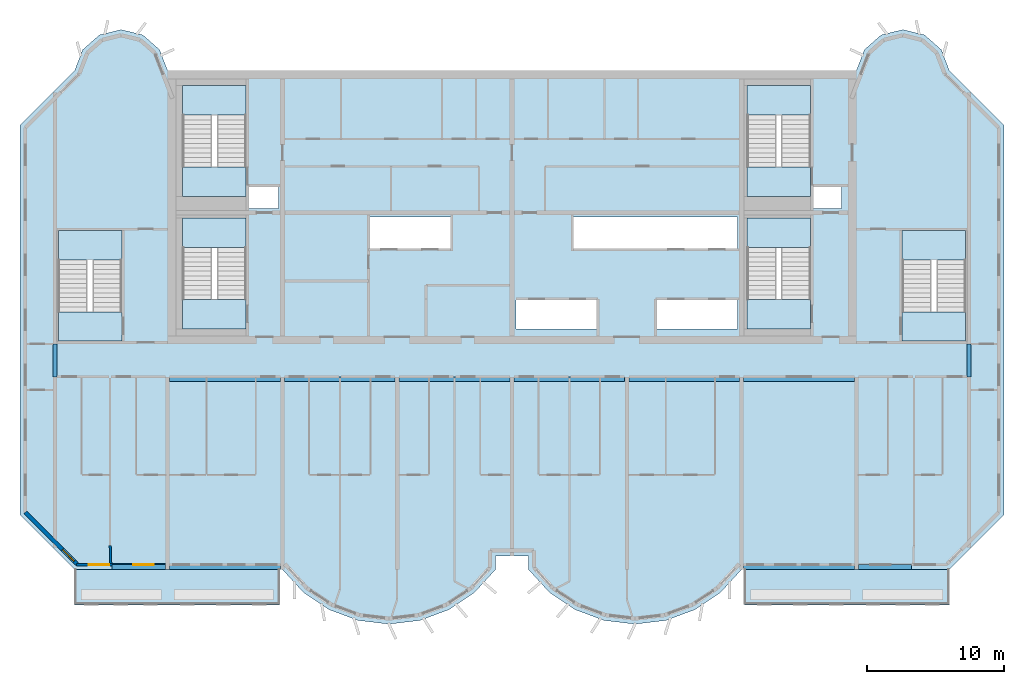
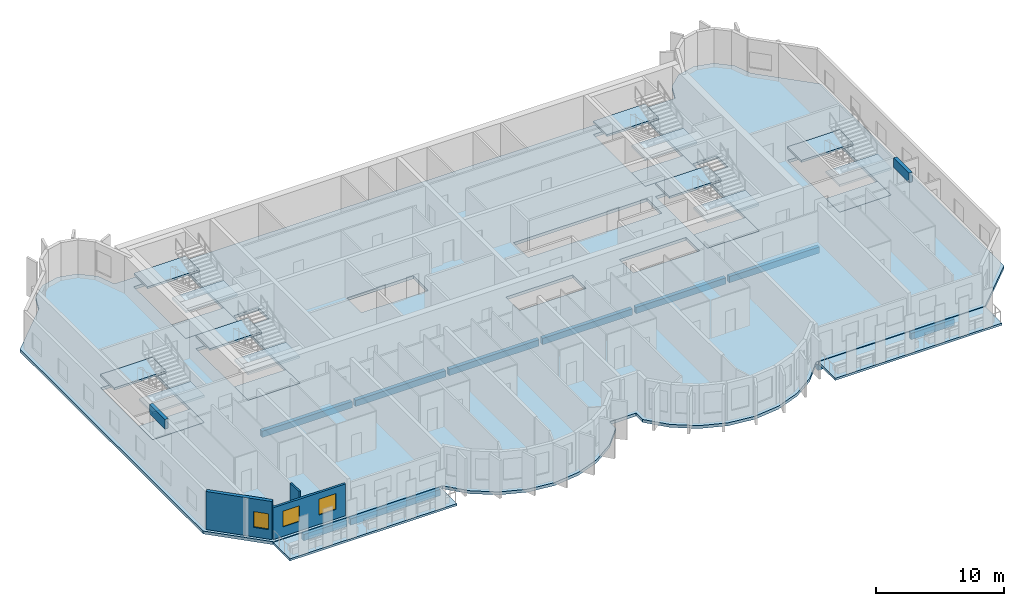
# One storey, part 1 of 11: 21 slabs, 12 beams, 3 walls, 3 windows, 3 openings, 6 elements without a shape of their own.
"""IFC4 building model written with IfcOpenShell, lengths in metres."""

from ifc_helpers import new_model, si_unit, direction, frame, frame_2d, origin, origin_2d, place, context, subcontext, project, spatial, polyline, rectangle, outline, extrude, source, transform, mapped, material, layer, layer_set, material_profile, profile_set, type_object, element, fill, aggregate, save


model = new_model("IFC4")

# Units and contexts
model_context = context("Model", 3, precision=1e-05, world=origin(), true_north=direction((0.0, 1.0)))
body_context = subcontext(model_context, "Body", "Model", "MODEL_VIEW")
ifc_project = project(units=[si_unit("LENGTHUNIT", "METRE"), si_unit("AREAUNIT", "SQUARE_METRE"), si_unit("VOLUMEUNIT", "CUBIC_METRE"), si_unit("PLANEANGLEUNIT", "RADIAN"), si_unit("MASSUNIT", "GRAM", prefix="KILO")], contexts=[model_context])

# Site, building, storey
site_placement = place(None, origin())
site = spatial("IfcSite", under=ifc_project, at=site_placement, CompositionType="ELEMENT")
building_placement = place(site_placement, origin())
building = spatial("IfcBuilding", under=site, at=building_placement, Name="Vanashikhar Sky Hotel", CompositionType="ELEMENT")
storey_placement = place(building_placement, frame((0.0, 0.0, 229.60009765625)))
storey = spatial("IfcBuildingStorey", under=building, at=storey_placement, Name="L55", CompositionType="ELEMENT", Elevation=229.60009765625)

# Beams
ifc_material_1 = material(Name="Concrete M50", Category="concrete")
ifc_material_profile_1 = material_profile(ifc_material_1, rectangle(XDim=0.300048828125, YDim=0.89990234375, at=origin_2d()))
ifc_profile_set_1 = profile_set([ifc_material_profile_1], Name="RC 300x900 beam Concrete M50")
beam_type_1 = type_object("IfcBeamType", Name="RC 300x900 beam Concrete M50", PredefinedType="LINTEL", material=ifc_profile_set_1)
shared_shape_1 = source(origin(), body_context, "Body", "SweptSolid", [
    extrude(rectangle(XDim=0.300048828125, YDim=0.89990234375, at=origin_2d()), origin(), (0.0, 0.0, 1.0), 2.39990234375),
])
for number, where, z_axis, x_axis, name in (
    (1, (16.949951171875, 19.60009765625, 3.169921875), (0.0, 1.0, 0.0), (-1.0, 0.0, 0.0), "LB-L55-XW03"),
    (2, (83.85009765625, 19.60009765625, 3.169921875), (0.0, 1.0, 0.0), (-1.0, 0.0, 0.0), "LB-L55-XW11"),
):
    element("IfcBeam", number, at=place(storey_placement, frame(where, z_axis=z_axis, x_axis=x_axis)), inside=storey, type_object=beam_type_1, Name=name, PredefinedType="LINTEL", context=body_context, shape_type="MappedRepresentation", body=[
        mapped(shared_shape_1, transform((0.0, 0.0, 0.0), scale=1.0)),
    ])
ifc_material_profile_2 = material_profile(ifc_material_1, rectangle(XDim=0.35009765625, YDim=0.60009765625, at=origin_2d()))
ifc_profile_set_2 = profile_set([ifc_material_profile_2], Name="RC 350x600 beam Concrete M50")
beam_type_2 = type_object("IfcBeamType", Name="RC 350x600 beam Concrete M50", PredefinedType="SPANDREL", material=ifc_profile_set_2)
shared_shape_2 = source(origin(), body_context, "Body", "SweptSolid", [
    extrude(rectangle(XDim=0.35009765625, YDim=0.60009765625, at=origin_2d()), origin(), (0.0, 0.0, 1.0), 8.099853515625),
])
for number, where, z_axis, x_axis, name in (
    (3, (25.35009765625, 5.675048828125, -0.580078125), (1.0, 0.0, 0.0), (0.0, 1.0, 0.0), "EB-L55-F01"),
    (4, (67.35009765625, 5.675048828125, -0.580078125), (1.0, 0.0, 0.0), (0.0, 1.0, 0.0), "EB-L55-F03"),
    (5, (25.35009765625, 19.425048828125, -0.580078125), (1.0, 0.0, 0.0), (0.0, 1.0, 0.0), "CB-L55-01"),
    (6, (50.550048828125, 19.425048828125, -0.580078125), (1.0, 0.0, 0.0), (0.0, 1.0, 0.0), "CB-L55-04"),
    (7, (67.35009765625, 19.425048828125, -0.580078125), (1.0, 0.0, 0.0), (0.0, 1.0, 0.0), "CB-L55-06"),
):
    element("IfcBeam", number, at=place(storey_placement, frame(where, z_axis=z_axis, x_axis=x_axis)), inside=storey, type_object=beam_type_2, Name=name, PredefinedType="SPANDREL", context=body_context, shape_type="MappedRepresentation", body=[
        mapped(shared_shape_2, transform((0.0, 0.0, 0.0), scale=1.0)),
    ])
ifc_material_profile_3 = material_profile(ifc_material_1, rectangle(XDim=0.35009765625, YDim=0.60009765625, at=origin_2d()))
ifc_profile_set_3 = profile_set([ifc_material_profile_3], Name="RC 350x600 cantilever beam Concrete M50")
beam_type_3 = type_object("IfcBeamType", Name="RC 350x600 cantilever beam Concrete M50", PredefinedType="SPANDREL", material=ifc_profile_set_3)
shared_shape_3 = source(origin(), body_context, "Body", "SweptSolid", [
    extrude(rectangle(XDim=0.35009765625, YDim=0.60009765625, at=origin_2d()), origin(), (0.0, 0.0, 1.0), 3.900146484375),
])
beam_1_placement = place(storey_placement, frame((21.14990234375, 5.675048828125, -0.580078125), z_axis=(1.0, 0.0, 0.0), x_axis=(0.0, 1.0, 0.0)))
element("IfcBeam", 8, at=beam_1_placement, inside=storey, type_object=beam_type_3, Name="EB-L55-F02", PredefinedType="SPANDREL", context=body_context, shape_type="MappedRepresentation", body=[
    mapped(shared_shape_3, transform((0.0, 0.0, 0.0), scale=1.0)),
])
shared_shape_4 = source(origin(), body_context, "Body", "SweptSolid", [
    extrude(rectangle(XDim=0.35009765625, YDim=0.60009765625, at=origin_2d()), origin(), (0.0, 0.0, 1.0), 3.89990234375),
])
beam_2_placement = place(storey_placement, frame((75.75, 5.675048828125, -0.580078125), z_axis=(1.0, 0.0, 0.0), x_axis=(0.0, 1.0, 0.0)))
element("IfcBeam", 9, at=beam_2_placement, inside=storey, type_object=beam_type_3, Name="EB-L55-F04", PredefinedType="SPANDREL", context=body_context, shape_type="MappedRepresentation", body=[
    mapped(shared_shape_4, transform((0.0, 0.0, 0.0), scale=1.0)),
])
shared_shape_5 = source(origin(), body_context, "Body", "SweptSolid", [
    extrude(rectangle(XDim=0.35009765625, YDim=0.60009765625, at=origin_2d()), origin(), (0.0, 0.0, 1.0), 8.10009765625),
])
for number, where, z_axis, x_axis, name in (
    (10, (33.75, 19.425048828125, -0.580078125), (1.0, 0.0, 0.0), (0.0, 1.0, 0.0), "CB-L55-02"),
    (11, (42.14990234375, 19.425048828125, -0.580078125), (1.0, 0.0, 0.0), (0.0, 1.0, 0.0), "CB-L55-03"),
    (12, (58.949951171875, 19.425048828125, -0.580078125), (1.0, 0.0, 0.0), (0.0, 1.0, 0.0), "CB-L55-05"),
):
    element("IfcBeam", number, at=place(storey_placement, frame(where, z_axis=z_axis, x_axis=x_axis)), inside=storey, type_object=beam_type_2, Name=name, PredefinedType="SPANDREL", context=body_context, shape_type="MappedRepresentation", body=[
        mapped(shared_shape_5, transform((0.0, 0.0, 0.0), scale=1.0)),
    ])

# Slabs
ifc_material_2 = material(Name="Concrete M40", Category="concrete")
ifc_layer_1 = layer(ifc_material_2, 0.280029296875)
ifc_layer_set_1 = layer_set([ifc_layer_1], Name="Floor slab 280 mm")
slab_type_1 = type_object("IfcSlabType", Name="Floor slab 280 mm", PredefinedType="FLOOR", material=ifc_layer_set_1)
shared_shape_6 = source(origin(), body_context, "Body", "SweptSolid", [
    extrude(outline(polyline([(49.199951171875, 5.5), (49.199951171875, 6.5), (51.60009765625, 6.5), (51.60009765625, 5.5), (53.133056640625, 3.825927734375), (55.01708984375, 2.55810546875), (57.14599609375, 1.76806640625), (59.39990234375, 1.5), (61.654052734375, 1.76806640625), (63.782958984375, 2.55810546875), (65.6669921875, 3.825927734375), (67.199951171875, 5.5), (82.39990234375, 5.5), (86.39990234375, 9.5), (86.39990234375, 38.0), (82.39990234375, 42.0), (81.81494140625, 43.527099609375), (80.587890625, 44.610107421875), (79.0, 45.0), (77.412109375, 44.610107421875), (76.18505859375, 43.527099609375), (75.60009765625, 42.0), (25.199951171875, 42.0), (24.614990234375, 43.527099609375), (23.387939453125, 44.610107421875), (21.800048828125, 45.0), (20.2119140625, 44.610107421875), (18.985107421875, 43.527099609375), (18.39990234375, 42.0), (14.39990234375, 38.0), (14.39990234375, 9.5), (18.39990234375, 5.5), (33.60009765625, 5.5), (35.133056640625, 3.825927734375), (37.01708984375, 2.55810546875), (39.14599609375, 1.76806640625), (41.39990234375, 1.5), (43.654052734375, 1.76806640625), (45.782958984375, 2.55810546875), (47.6669921875, 3.825927734375), (49.199951171875, 5.5)]), holes=[polyline([(33.300048828125, 33.60009765625), (31.050048828125, 33.60009765625), (31.050048828125, 31.89990234375), (33.300048828125, 31.89990234375), (33.300048828125, 33.60009765625)]), polyline([(39.89990234375, 31.300048828125), (39.89990234375, 29.0), (45.89990234375, 29.0), (45.89990234375, 31.300048828125), (39.89990234375, 31.300048828125)]), polyline([(50.699951171875, 25.199951171875), (50.699951171875, 23.10009765625), (56.699951171875, 23.10009765625), (56.699951171875, 25.199951171875), (50.699951171875, 25.199951171875)]), polyline([(66.89990234375, 29.0), (66.89990234375, 31.300048828125), (54.89990234375, 31.300048828125), (54.89990234375, 29.0), (66.89990234375, 29.0)]), polyline([(60.89990234375, 25.199951171875), (60.89990234375, 23.10009765625), (66.89990234375, 23.10009765625), (66.89990234375, 25.199951171875), (60.89990234375, 25.199951171875)]), polyline([(74.5, 33.60009765625), (72.35009765625, 33.60009765625), (72.35009765625, 31.89990234375), (74.5, 31.89990234375), (74.5, 33.60009765625)]), polyline([(30.949951171875, 23.10009765625), (30.949951171875, 31.199951171875), (26.300048828125, 31.199951171875), (26.300048828125, 23.10009765625), (30.949951171875, 23.10009765625)]), polyline([(72.25, 23.10009765625), (72.25, 31.199951171875), (67.60009765625, 31.199951171875), (67.60009765625, 23.10009765625), (72.25, 23.10009765625)]), polyline([(30.949951171875, 32.800048828125), (30.949951171875, 40.89990234375), (26.300048828125, 40.89990234375), (26.300048828125, 32.800048828125), (30.949951171875, 32.800048828125)]), polyline([(72.25, 32.800048828125), (72.25, 40.89990234375), (67.60009765625, 40.89990234375), (67.60009765625, 32.800048828125), (72.25, 32.800048828125)]), polyline([(83.60009765625, 22.199951171875), (83.60009765625, 30.300048828125), (78.949951171875, 30.300048828125), (78.949951171875, 22.199951171875), (83.60009765625, 22.199951171875)]), polyline([(21.85009765625, 22.199951171875), (21.85009765625, 30.300048828125), (17.199951171875, 30.300048828125), (17.199951171875, 22.199951171875), (21.85009765625, 22.199951171875)])]), origin(), (0.0, 0.0, 1.0), 0.280029296875),
])
slab_1_placement = place(storey_placement, frame((0.0, 0.0, -0.280029296875)))
element("IfcSlab", 13, at=slab_1_placement, inside=storey, type_object=slab_type_1, Name="Floor slab L55", PredefinedType="FLOOR", context=body_context, shape_type="MappedRepresentation", body=[
    mapped(shared_shape_6, transform((0.0, 0.0, 0.0), scale=1.0)),
])
ifc_layer_2 = layer(ifc_material_2, 0.199951171875)
ifc_layer_set_2 = layer_set([ifc_layer_2], Name="Balcony slab 200 mm")
slab_type_2 = type_object("IfcSlabType", Name="Balcony slab 200 mm", PredefinedType="USERDEFINED", material=ifc_layer_set_2)
shared_shape_7 = source(origin(), body_context, "Body", "SweptSolid", [
    extrude(outline(polyline([(18.39990234375, 2.89990234375), (33.39990234375, 2.89990234375), (33.39990234375, 5.5), (18.39990234375, 5.5), (18.39990234375, 2.89990234375)])), origin(), (0.0, 0.0, 1.0), 0.199951171875),
])
slab_2_placement = place(storey_placement, frame((0.0, 0.0, -0.25)))
element("IfcSlab", 14, at=slab_2_placement, inside=storey, type_object=slab_type_2, Name="Balcony slab L55 1", ObjectType="BALCONY", PredefinedType="USERDEFINED", context=body_context, shape_type="MappedRepresentation", body=[
    mapped(shared_shape_7, transform((0.0, 0.0, 0.0), scale=1.0)),
])
shared_shape_8 = source(origin(), body_context, "Body", "SweptSolid", [
    extrude(outline(polyline([(67.39990234375, 2.89990234375), (82.39990234375, 2.89990234375), (82.39990234375, 5.5), (67.39990234375, 5.5), (67.39990234375, 2.89990234375)])), origin(), (0.0, 0.0, 1.0), 0.199951171875),
])
slab_3_placement = place(storey_placement, frame((0.0, 0.0, -0.25)))
element("IfcSlab", 15, at=slab_3_placement, inside=storey, type_object=slab_type_2, Name="Balcony slab L55 2", ObjectType="BALCONY", PredefinedType="USERDEFINED", context=body_context, shape_type="MappedRepresentation", body=[
    mapped(shared_shape_8, transform((0.0, 0.0, 0.0), scale=1.0)),
])

# Stair, slabs
stair_type = type_object("IfcStairType", Name="Exit stair 2150", PredefinedType="DOUBLE_RETURN_STAIR", material=ifc_material_2)
stair_1_placement = place(storey_placement, origin())
stair_1 = element("IfcStair", 16, at=stair_1_placement, inside=storey, type_object=stair_type, Name="L55 Exit stair 1", PredefinedType="DOUBLE_RETURN_STAIR")
ifc_layer_3 = layer(ifc_material_2, 0.199951171875)
ifc_layer_set_3 = layer_set([ifc_layer_3], Name="Stair landing 200")
slab_type_3 = type_object("IfcSlabType", Name="Stair landing 200", PredefinedType="LANDING", material=ifc_layer_set_3)
shared_shape_9 = source(origin(), body_context, "Body", "SweptSolid", [
    extrude(outline(polyline([(30.949951171875, 29.050048828125), (30.949951171875, 31.199951171875), (26.300048828125, 31.199951171875), (26.300048828125, 29.050048828125), (30.949951171875, 29.050048828125)])), origin(), (0.0, 0.0, 1.0), 0.199951171875),
])
slab_4_placement = place(storey_placement, frame((0.0, 0.0, 1.099853515625)))
slab_4 = element("IfcSlab", 17, at=slab_4_placement, type_object=slab_type_3, Name="ST-C1 landing 1", PredefinedType="LANDING", context=body_context, shape_type="MappedRepresentation", body=[
    mapped(shared_shape_9, transform((0.0, 0.0, 0.0), scale=1.0)),
])
shared_shape_10 = source(origin(), body_context, "Body", "SweptSolid", [
    extrude(outline(polyline([(30.949951171875, 23.10009765625), (30.949951171875, 25.25), (26.300048828125, 25.25), (26.300048828125, 23.10009765625), (30.949951171875, 23.10009765625)])), origin(), (0.0, 0.0, 1.0), 0.199951171875),
])
slab_5_placement = place(storey_placement, frame((0.0, 0.0, 2.39990234375)))
slab_5 = element("IfcSlab", 18, at=slab_5_placement, type_object=slab_type_3, Name="ST-C1 landing 2", PredefinedType="LANDING", context=body_context, shape_type="MappedRepresentation", body=[
    mapped(shared_shape_10, transform((0.0, 0.0, 0.0), scale=1.0)),
])
aggregate(stair_1, [slab_4, slab_5])

# Slab
ifc_layer_4 = layer(ifc_material_2, 0.280029296875)
ifc_layer_set_4 = layer_set([ifc_layer_4], Name="Stair floor landing 280")
slab_type_4 = type_object("IfcSlabType", Name="Stair floor landing 280", PredefinedType="LANDING", material=ifc_layer_set_4)
shared_shape_11 = source(origin(), body_context, "Body", "SweptSolid", [
    extrude(outline(polyline([(30.949951171875, 23.10009765625), (30.949951171875, 25.25), (26.300048828125, 25.25), (26.300048828125, 23.10009765625), (30.949951171875, 23.10009765625)])), origin(), (0.0, 0.0, 1.0), 0.280029296875),
])
slab_6_placement = place(storey_placement, frame((0.0, 0.0, -0.280029296875)))
element("IfcSlab", 19, at=slab_6_placement, inside=storey, type_object=slab_type_4, Name="Exit stair 1 floor landing", PredefinedType="LANDING", context=body_context, shape_type="MappedRepresentation", body=[
    mapped(shared_shape_11, transform((0.0, 0.0, 0.0), scale=1.0)),
])

# Stair, slabs
stair_2_placement = place(storey_placement, origin())
stair_2 = element("IfcStair", 20, at=stair_2_placement, inside=storey, type_object=stair_type, Name="L55 Exit stair 2", PredefinedType="DOUBLE_RETURN_STAIR")
shared_shape_12 = source(origin(), body_context, "Body", "SweptSolid", [
    extrude(outline(polyline([(72.25, 29.050048828125), (72.25, 31.199951171875), (67.60009765625, 31.199951171875), (67.60009765625, 29.050048828125), (72.25, 29.050048828125)])), origin(), (0.0, 0.0, 1.0), 0.199951171875),
])
slab_7_placement = place(storey_placement, frame((0.0, 0.0, 1.099853515625)))
slab_7 = element("IfcSlab", 21, at=slab_7_placement, type_object=slab_type_3, Name="ST-C2 landing 1", PredefinedType="LANDING", context=body_context, shape_type="MappedRepresentation", body=[
    mapped(shared_shape_12, transform((0.0, 0.0, 0.0), scale=1.0)),
])
shared_shape_13 = source(origin(), body_context, "Body", "SweptSolid", [
    extrude(outline(polyline([(72.25, 23.10009765625), (72.25, 25.25), (67.60009765625, 25.25), (67.60009765625, 23.10009765625), (72.25, 23.10009765625)])), origin(), (0.0, 0.0, 1.0), 0.199951171875),
])
slab_8_placement = place(storey_placement, frame((0.0, 0.0, 2.39990234375)))
slab_8 = element("IfcSlab", 22, at=slab_8_placement, type_object=slab_type_3, Name="ST-C2 landing 2", PredefinedType="LANDING", context=body_context, shape_type="MappedRepresentation", body=[
    mapped(shared_shape_13, transform((0.0, 0.0, 0.0), scale=1.0)),
])
aggregate(stair_2, [slab_7, slab_8])

# Slab
shared_shape_14 = source(origin(), body_context, "Body", "SweptSolid", [
    extrude(outline(polyline([(72.25, 23.10009765625), (72.25, 25.25), (67.60009765625, 25.25), (67.60009765625, 23.10009765625), (72.25, 23.10009765625)])), origin(), (0.0, 0.0, 1.0), 0.280029296875),
])
slab_9_placement = place(storey_placement, frame((0.0, 0.0, -0.280029296875)))
element("IfcSlab", 23, at=slab_9_placement, inside=storey, type_object=slab_type_4, Name="Exit stair 2 floor landing", PredefinedType="LANDING", context=body_context, shape_type="MappedRepresentation", body=[
    mapped(shared_shape_14, transform((0.0, 0.0, 0.0), scale=1.0)),
])

# Stair, slabs
stair_3_placement = place(storey_placement, origin())
stair_3 = element("IfcStair", 24, at=stair_3_placement, inside=storey, type_object=stair_type, Name="L55 Exit stair 3", PredefinedType="DOUBLE_RETURN_STAIR")
shared_shape_15 = source(origin(), body_context, "Body", "SweptSolid", [
    extrude(outline(polyline([(21.85009765625, 28.14990234375), (21.85009765625, 30.300048828125), (17.199951171875, 30.300048828125), (17.199951171875, 28.14990234375), (21.85009765625, 28.14990234375)])), origin(), (0.0, 0.0, 1.0), 0.199951171875),
])
slab_10_placement = place(storey_placement, frame((0.0, 0.0, 1.099853515625)))
slab_10 = element("IfcSlab", 25, at=slab_10_placement, type_object=slab_type_3, Name="ST-W landing 1", PredefinedType="LANDING", context=body_context, shape_type="MappedRepresentation", body=[
    mapped(shared_shape_15, transform((0.0, 0.0, 0.0), scale=1.0)),
])
shared_shape_16 = source(origin(), body_context, "Body", "SweptSolid", [
    extrude(outline(polyline([(21.85009765625, 22.199951171875), (21.85009765625, 24.35009765625), (17.199951171875, 24.35009765625), (17.199951171875, 22.199951171875), (21.85009765625, 22.199951171875)])), origin(), (0.0, 0.0, 1.0), 0.199951171875),
])
slab_11_placement = place(storey_placement, frame((0.0, 0.0, 2.39990234375)))
slab_11 = element("IfcSlab", 26, at=slab_11_placement, type_object=slab_type_3, Name="ST-W landing 2", PredefinedType="LANDING", context=body_context, shape_type="MappedRepresentation", body=[
    mapped(shared_shape_16, transform((0.0, 0.0, 0.0), scale=1.0)),
])
aggregate(stair_3, [slab_10, slab_11])

# Slab
shared_shape_17 = source(origin(), body_context, "Body", "SweptSolid", [
    extrude(outline(polyline([(21.85009765625, 22.199951171875), (21.85009765625, 24.35009765625), (17.199951171875, 24.35009765625), (17.199951171875, 22.199951171875), (21.85009765625, 22.199951171875)])), origin(), (0.0, 0.0, 1.0), 0.280029296875),
])
slab_12_placement = place(storey_placement, frame((0.0, 0.0, -0.280029296875)))
element("IfcSlab", 27, at=slab_12_placement, inside=storey, type_object=slab_type_4, Name="Exit stair 3 floor landing", PredefinedType="LANDING", context=body_context, shape_type="MappedRepresentation", body=[
    mapped(shared_shape_17, transform((0.0, 0.0, 0.0), scale=1.0)),
])

# Stair, slabs
stair_4_placement = place(storey_placement, origin())
stair_4 = element("IfcStair", 28, at=stair_4_placement, inside=storey, type_object=stair_type, Name="L55 Exit stair 4", PredefinedType="DOUBLE_RETURN_STAIR")
shared_shape_18 = source(origin(), body_context, "Body", "SweptSolid", [
    extrude(outline(polyline([(83.60009765625, 28.14990234375), (83.60009765625, 30.300048828125), (78.949951171875, 30.300048828125), (78.949951171875, 28.14990234375), (83.60009765625, 28.14990234375)])), origin(), (0.0, 0.0, 1.0), 0.199951171875),
])
slab_13_placement = place(storey_placement, frame((0.0, 0.0, 1.099853515625)))
slab_13 = element("IfcSlab", 29, at=slab_13_placement, type_object=slab_type_3, Name="ST-E landing 1", PredefinedType="LANDING", context=body_context, shape_type="MappedRepresentation", body=[
    mapped(shared_shape_18, transform((0.0, 0.0, 0.0), scale=1.0)),
])
shared_shape_19 = source(origin(), body_context, "Body", "SweptSolid", [
    extrude(outline(polyline([(83.60009765625, 22.199951171875), (83.60009765625, 24.35009765625), (78.949951171875, 24.35009765625), (78.949951171875, 22.199951171875), (83.60009765625, 22.199951171875)])), origin(), (0.0, 0.0, 1.0), 0.199951171875),
])
slab_14_placement = place(storey_placement, frame((0.0, 0.0, 2.39990234375)))
slab_14 = element("IfcSlab", 30, at=slab_14_placement, type_object=slab_type_3, Name="ST-E landing 2", PredefinedType="LANDING", context=body_context, shape_type="MappedRepresentation", body=[
    mapped(shared_shape_19, transform((0.0, 0.0, 0.0), scale=1.0)),
])
aggregate(stair_4, [slab_13, slab_14])

# Slab
shared_shape_20 = source(origin(), body_context, "Body", "SweptSolid", [
    extrude(outline(polyline([(83.60009765625, 22.199951171875), (83.60009765625, 24.35009765625), (78.949951171875, 24.35009765625), (78.949951171875, 22.199951171875), (83.60009765625, 22.199951171875)])), origin(), (0.0, 0.0, 1.0), 0.280029296875),
])
slab_15_placement = place(storey_placement, frame((0.0, 0.0, -0.280029296875)))
element("IfcSlab", 31, at=slab_15_placement, inside=storey, type_object=slab_type_4, Name="Exit stair 4 floor landing", PredefinedType="LANDING", context=body_context, shape_type="MappedRepresentation", body=[
    mapped(shared_shape_20, transform((0.0, 0.0, 0.0), scale=1.0)),
])

# Stair, slabs
stair_5_placement = place(storey_placement, origin())
stair_5 = element("IfcStair", 32, at=stair_5_placement, inside=storey, type_object=stair_type, Name="L55 Exit stair 5", PredefinedType="DOUBLE_RETURN_STAIR")
shared_shape_21 = source(origin(), body_context, "Body", "SweptSolid", [
    extrude(outline(polyline([(30.949951171875, 38.75), (30.949951171875, 40.89990234375), (26.300048828125, 40.89990234375), (26.300048828125, 38.75), (30.949951171875, 38.75)])), origin(), (0.0, 0.0, 1.0), 0.199951171875),
])
slab_16_placement = place(storey_placement, frame((0.0, 0.0, 1.099853515625)))
slab_16 = element("IfcSlab", 33, at=slab_16_placement, type_object=slab_type_3, Name="ST-C3 landing 1", PredefinedType="LANDING", context=body_context, shape_type="MappedRepresentation", body=[
    mapped(shared_shape_21, transform((0.0, 0.0, 0.0), scale=1.0)),
])
shared_shape_22 = source(origin(), body_context, "Body", "SweptSolid", [
    extrude(outline(polyline([(30.949951171875, 32.800048828125), (30.949951171875, 34.949951171875), (26.300048828125, 34.949951171875), (26.300048828125, 32.800048828125), (30.949951171875, 32.800048828125)])), origin(), (0.0, 0.0, 1.0), 0.199951171875),
])
slab_17_placement = place(storey_placement, frame((0.0, 0.0, 2.39990234375)))
slab_17 = element("IfcSlab", 34, at=slab_17_placement, type_object=slab_type_3, Name="ST-C3 landing 2", PredefinedType="LANDING", context=body_context, shape_type="MappedRepresentation", body=[
    mapped(shared_shape_22, transform((0.0, 0.0, 0.0), scale=1.0)),
])
aggregate(stair_5, [slab_16, slab_17])

# Slab
shared_shape_23 = source(origin(), body_context, "Body", "SweptSolid", [
    extrude(outline(polyline([(30.949951171875, 32.800048828125), (30.949951171875, 34.949951171875), (26.300048828125, 34.949951171875), (26.300048828125, 32.800048828125), (30.949951171875, 32.800048828125)])), origin(), (0.0, 0.0, 1.0), 0.280029296875),
])
slab_18_placement = place(storey_placement, frame((0.0, 0.0, -0.280029296875)))
element("IfcSlab", 35, at=slab_18_placement, inside=storey, type_object=slab_type_4, Name="Exit stair 5 floor landing", PredefinedType="LANDING", context=body_context, shape_type="MappedRepresentation", body=[
    mapped(shared_shape_23, transform((0.0, 0.0, 0.0), scale=1.0)),
])

# Stair, slabs
stair_6_placement = place(storey_placement, origin())
stair_6 = element("IfcStair", 36, at=stair_6_placement, inside=storey, type_object=stair_type, Name="L55 Exit stair 6", PredefinedType="DOUBLE_RETURN_STAIR")
shared_shape_24 = source(origin(), body_context, "Body", "SweptSolid", [
    extrude(outline(polyline([(72.25, 38.75), (72.25, 40.89990234375), (67.60009765625, 40.89990234375), (67.60009765625, 38.75), (72.25, 38.75)])), origin(), (0.0, 0.0, 1.0), 0.199951171875),
])
slab_19_placement = place(storey_placement, frame((0.0, 0.0, 1.099853515625)))
slab_19 = element("IfcSlab", 37, at=slab_19_placement, type_object=slab_type_3, Name="ST-C4 landing 1", PredefinedType="LANDING", context=body_context, shape_type="MappedRepresentation", body=[
    mapped(shared_shape_24, transform((0.0, 0.0, 0.0), scale=1.0)),
])
shared_shape_25 = source(origin(), body_context, "Body", "SweptSolid", [
    extrude(outline(polyline([(72.25, 32.800048828125), (72.25, 34.949951171875), (67.60009765625, 34.949951171875), (67.60009765625, 32.800048828125), (72.25, 32.800048828125)])), origin(), (0.0, 0.0, 1.0), 0.199951171875),
])
slab_20_placement = place(storey_placement, frame((0.0, 0.0, 2.39990234375)))
slab_20 = element("IfcSlab", 38, at=slab_20_placement, type_object=slab_type_3, Name="ST-C4 landing 2", PredefinedType="LANDING", context=body_context, shape_type="MappedRepresentation", body=[
    mapped(shared_shape_25, transform((0.0, 0.0, 0.0), scale=1.0)),
])
aggregate(stair_6, [slab_19, slab_20])

# Slab
shared_shape_26 = source(origin(), body_context, "Body", "SweptSolid", [
    extrude(outline(polyline([(72.25, 32.800048828125), (72.25, 34.949951171875), (67.60009765625, 34.949951171875), (67.60009765625, 32.800048828125), (72.25, 32.800048828125)])), origin(), (0.0, 0.0, 1.0), 0.280029296875),
])
slab_21_placement = place(storey_placement, frame((0.0, 0.0, -0.280029296875)))
element("IfcSlab", 39, at=slab_21_placement, inside=storey, type_object=slab_type_4, Name="Exit stair 6 floor landing", PredefinedType="LANDING", context=body_context, shape_type="MappedRepresentation", body=[
    mapped(shared_shape_26, transform((0.0, 0.0, 0.0), scale=1.0)),
])

# Wall, openings, windows
ifc_layer_5 = layer(ifc_material_1, 0.199951171875)
ifc_layer_set_5 = layer_set([ifc_layer_5], Name="Front window wall 200")
wall_type_1 = type_object("IfcWallType", Name="Front window wall 200", PredefinedType="SOLIDWALL", material=ifc_layer_set_5)
shared_shape_27 = source(origin(), body_context, "Body", "SweptSolid", [
    extrude(rectangle(XDim=6.505126953125, YDim=0.199951171875, at=frame_2d((3.25244140625, 0.0))), origin(), (0.0, 0.0, 1.0), 3.02001953125),
])
wall_1_placement = place(storey_placement, frame((18.544921875, 5.85009765625, 0.0), z_axis=(0.0, 0.0, 1.0), x_axis=(1.0, 0.0, 0.0)))
wall_1 = element("IfcWall", 40, at=wall_1_placement, inside=storey, type_object=wall_type_1, Name="Front window wall", PredefinedType="SOLIDWALL", context=body_context, shape_type="MappedRepresentation", body=[
    mapped(shared_shape_27, transform((0.0, 0.0, 0.0), scale=1.0)),
])
shared_shape_28 = source(origin(), body_context, "Body", "SweptSolid", [
    extrude(rectangle(XDim=1.5, YDim=1.5, at=frame_2d((0.75, 0.75))), frame((0.0, 0.10986328125, 0.0), z_axis=(0.0, -1.0, 0.0), x_axis=(1.0, 0.0, 0.0)), (0.0, 0.0, 1.0), 0.219970703125),
])
opening_1_placement = place(wall_1_placement, frame((0.876220703125, 0.0, 0.89990234375)))
opening_1 = element("IfcOpeningElement", 41, at=opening_1_placement, cuts=wall_1, Name="Opening WN-1", PredefinedType="OPENING", context=body_context, shape_type="MappedRepresentation", body=[
    mapped(shared_shape_28, transform((0.0, 0.0, 0.0), scale=1.0)),
])
opening_2_placement = place(wall_1_placement, frame((4.128662109375, 0.0, 0.89990234375)))
opening_2 = element("IfcOpeningElement", 42, at=opening_2_placement, cuts=wall_1, Name="Opening WN-1", PredefinedType="OPENING", context=body_context, shape_type="MappedRepresentation", body=[
    mapped(shared_shape_28, transform((0.0, 0.0, 0.0), scale=1.0)),
])
ifc_material_3 = material(Name="Glass", Category="glass")
window_type_1 = type_object("IfcWindowType", Name="Window 1500 x 1500", PartitioningType="SINGLE_PANEL", PredefinedType="WINDOW", material=ifc_material_3)
shared_shape_29 = source(origin(), body_context, "Body", "SweptSolid", [
    extrude(rectangle(XDim=1.5, YDim=1.5, at=frame_2d((0.75, 0.75))), frame((0.0, 0.030029296875, 0.0), z_axis=(0.0, -1.0, 0.0), x_axis=(1.0, 0.0, 0.0)), (0.0, 0.0, 1.0), 0.06005859375),
])
window_1_placement = place(opening_1_placement, origin())
window_1 = element("IfcWindow", 43, at=window_1_placement, inside=storey, type_object=window_type_1, Name="Window WN-1", OverallHeight=1.5, OverallWidth=1.5, PartitioningType="SINGLE_PANEL", PredefinedType="WINDOW", context=body_context, shape_type="MappedRepresentation", body=[
    mapped(shared_shape_29, transform((0.0, 0.0, 0.0), scale=1.0)),
])
fill(opening_1, window_1)
window_2_placement = place(opening_2_placement, origin())
window_2 = element("IfcWindow", 44, at=window_2_placement, inside=storey, type_object=window_type_1, Name="Window WN-1", OverallHeight=1.5, OverallWidth=1.5, PartitioningType="SINGLE_PANEL", PredefinedType="WINDOW", context=body_context, shape_type="MappedRepresentation", body=[
    mapped(shared_shape_29, transform((0.0, 0.0, 0.0), scale=1.0)),
])
fill(opening_2, window_2)

# Wall, opening, window
ifc_layer_6 = layer(ifc_material_1, 0.300048828125)
ifc_layer_set_6 = layer_set([ifc_layer_6], Name="Lobe wall 300")
wall_type_2 = type_object("IfcWallType", Name="Lobe wall 300", PredefinedType="SOLIDWALL", material=ifc_layer_set_6)
shared_shape_30 = source(origin(), body_context, "Body", "SweptSolid", [
    extrude(rectangle(XDim=5.32568359375, YDim=0.300048828125, at=frame_2d((2.662841796875, 0.0))), origin(), (0.0, 0.0, 1.0), 3.619873046875),
])
wall_2_placement = place(storey_placement, frame((14.800048828125, 9.665771484375, 0.0), z_axis=(0.0, 0.0, 1.0), x_axis=(0.707083859269, -0.707129702361, 0.0)))
wall_2 = element("IfcWall", 45, at=wall_2_placement, inside=storey, type_object=wall_type_2, Name="Corner wall", PredefinedType="SOLIDWALL", context=body_context, shape_type="MappedRepresentation", body=[
    mapped(shared_shape_30, transform((0.0, 0.0, 0.0), scale=1.0)),
])
shared_shape_31 = source(origin(), body_context, "Body", "SweptSolid", [
    extrude(rectangle(XDim=1.199951171875, YDim=1.5, at=frame_2d((0.60009765625, 0.75))), frame((0.0, 0.16015625, 0.0), z_axis=(0.0, -1.0, 0.0), x_axis=(1.0, 0.0, 0.0)), (0.0, 0.0, 1.0), 0.320068359375),
])
opening_3_placement = place(wall_2_placement, frame((3.8330078125, 0.0, 0.89990234375)))
opening_3 = element("IfcOpeningElement", 46, at=opening_3_placement, cuts=wall_2, Name="Opening WN-3", PredefinedType="OPENING", context=body_context, shape_type="MappedRepresentation", body=[
    mapped(shared_shape_31, transform((0.0, 0.0, 0.0), scale=1.0)),
])
window_type_2 = type_object("IfcWindowType", Name="Corridor end window 1200 x 1500", PartitioningType="SINGLE_PANEL", PredefinedType="WINDOW", material=ifc_material_3)
shared_shape_32 = source(origin(), body_context, "Body", "SweptSolid", [
    extrude(rectangle(XDim=1.199951171875, YDim=1.5, at=frame_2d((0.60009765625, 0.75))), frame((0.0, 0.030029296875, 0.0), z_axis=(0.0, -1.0, 0.0), x_axis=(1.0, 0.0, 0.0)), (0.0, 0.0, 1.0), 0.06005859375),
])
window_3_placement = place(opening_3_placement, origin())
window_3 = element("IfcWindow", 47, at=window_3_placement, inside=storey, type_object=window_type_2, Name="Window WN-3", OverallHeight=1.5, OverallWidth=1.199951171875, PartitioningType="SINGLE_PANEL", PredefinedType="WINDOW", context=body_context, shape_type="MappedRepresentation", body=[
    mapped(shared_shape_32, transform((0.0, 0.0, 0.0), scale=1.0)),
])
fill(opening_3, window_3)

# Wall
ifc_material_4 = material(Name="Gypsum plasterboard partition")
ifc_layer_7 = layer(ifc_material_4, 0.14990234375)
ifc_layer_set_7 = layer_set([ifc_layer_7], Name="Corridor and demising partition 150")
wall_type_3 = type_object("IfcWallType", Name="Corridor and demising partition 150", PredefinedType="PARTITIONING", material=ifc_layer_set_7)
shared_shape_33 = source(origin(), body_context, "Body", "SweptSolid", [
    extrude(rectangle(XDim=1.30078125, YDim=0.14990234375, at=frame_2d((0.650390625, 0.0))), origin(), (0.0, 0.0, 1.0), 3.619873046875),
])
wall_3_placement = place(storey_placement, frame((21.041015625, 5.949951171875, 0.0), z_axis=(0.0, 0.0, 1.0), x_axis=(-0.031533606063, 0.999502692187, 0.0)))
element("IfcWall", 48, at=wall_3_placement, inside=storey, type_object=wall_type_3, Name="W-L55-PW007B0", PredefinedType="PARTITIONING", context=body_context, shape_type="MappedRepresentation", body=[
    mapped(shared_shape_33, transform((0.0, 0.0, 0.0), scale=1.0)),
])

save(model, "model.ifc")
